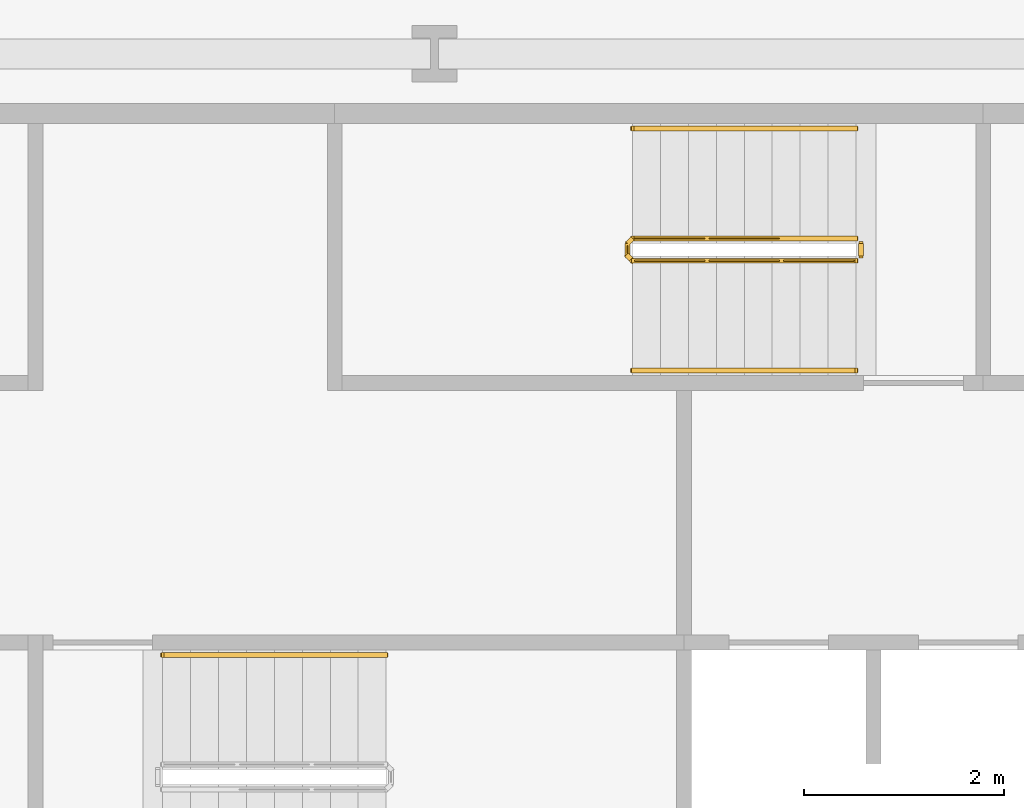
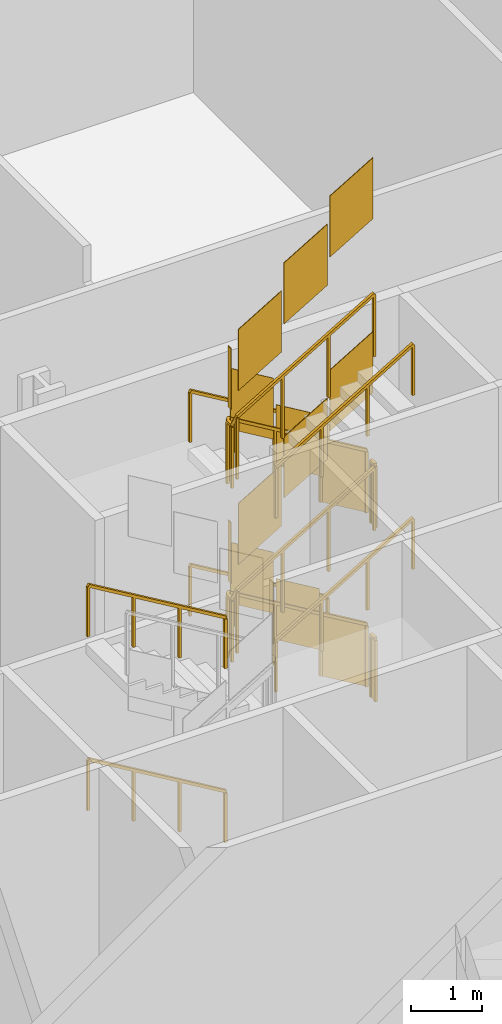
# One storey, part 28 of 31: 10 railings.
"""IFC4 building model written with IfcOpenShell, lengths in metres."""

import ifcopenshell
import ifcopenshell.guid

model = None  # the IFC model being written
_history = None  # IfcOwnerHistory: only IFC2X3 demands one
_inside = {}  # id of a spatial element -> (the spatial element, [elements in it])
_under = {}  # id of a project, library or spatial element -> (it, [spatial elements below it])
_declared = {}  # id of a project -> (the project, [libraries it declares])
_typed = {}  # id of a type object -> (the type object, [elements of that type])
_made_of = {}  # id of a material, layer set ... -> (it, [elements and type objects made of it])


def new_model(schema):
    """Start an empty IFC model of exactly this schema.

    Asked for "IFC4X3", IfcOpenShell would pick the latest addendum, in which some entities
    have other attributes; the version numbers below select the first issue.
    IFC2X3 requires an IfcOwnerHistory on every rooted entity: one is made here for all.
    """
    global model, _history
    if schema == "IFC4X3":
        model = ifcopenshell.file(schema_version=(4, 3, 0, 0))
    else:
        model = ifcopenshell.file(schema=schema)
    _inside.clear()
    _under.clear()
    _declared.clear()
    _typed.clear()
    _made_of.clear()
    _history = None
    if model.schema == "IFC2X3":
        org = make("IfcOrganization", Name="unknown")
        user = make(
            "IfcPersonAndOrganization",
            ThePerson=make("IfcPerson", FamilyName="unknown"),
            TheOrganization=org,
        )
        app = make(
            "IfcApplication",
            ApplicationDeveloper=org,
            Version="unknown",
            ApplicationFullName="unknown",
            ApplicationIdentifier="unknown",
        )
        _history = make(
            "IfcOwnerHistory",
            OwningUser=user,
            OwningApplication=app,
            ChangeAction="ADDED",
            CreationDate=0,
        )
    return model


def make(cls, **values):
    """One entity of the class cls with the attributes given. An attribute that is None is left unset."""
    return model.create_entity(
        cls, **{name: value for name, value in values.items() if value is not None}
    )


def rooted(cls, **values):
    """An entity with a GlobalId (a new one), such as an element, a storey or a relation."""
    return make(cls, GlobalId=ifcopenshell.guid.new(), OwnerHistory=_history, **values)


def si_unit(unit_type, name, prefix=None):
    """IfcSIUnit, for example si_unit("LENGTHUNIT", "METRE", prefix="MILLI")."""
    return make("IfcSIUnit", UnitType=unit_type, Prefix=prefix, Name=name)


def assignment(units):
    """IfcUnitAssignment: the units of a project."""
    return None if units is None else make("IfcUnitAssignment", Units=units)


def point(xyz):
    """IfcCartesianPoint."""
    return None if xyz is None else make("IfcCartesianPoint", Coordinates=xyz)


def direction(xyz):
    """IfcDirection."""
    return None if xyz is None else make("IfcDirection", DirectionRatios=xyz)


def frame(location, z_axis=None, x_axis=None):
    """IfcAxis2Placement3D, a coordinate frame: its origin and axes. An axis left out is left unset."""
    return make(
        "IfcAxis2Placement3D",
        Location=point(location),
        Axis=direction(z_axis),
        RefDirection=direction(x_axis),
    )


def frame_2d(location, x_axis=None):
    """IfcAxis2Placement2D, a coordinate frame in the plane: its origin and x axis."""
    return make(
        "IfcAxis2Placement2D", Location=point(location), RefDirection=direction(x_axis)
    )


def origin():
    """The frame at (0, 0, 0) with its axes left unset."""
    return frame((0.0, 0.0, 0.0))


def origin_2d():
    """The frame at (0, 0) in the plane with its x axis left unset."""
    return frame_2d((0.0, 0.0))


def place(relative_to, where):
    """IfcLocalPlacement: puts the frame where relative to a parent placement (None: the world)."""
    return make(
        "IfcLocalPlacement", PlacementRelTo=relative_to, RelativePlacement=where
    )


def context(
    kind, dimensions, precision=None, world=None, true_north=None, identifier=None
):
    """IfcGeometricRepresentationContext, for example the 3D "Model" context."""
    return make(
        "IfcGeometricRepresentationContext",
        ContextIdentifier=identifier,
        ContextType=kind,
        CoordinateSpaceDimension=dimensions,
        Precision=precision,
        WorldCoordinateSystem=world,
        TrueNorth=true_north,
    )


def subcontext(parent, identifier, kind, view, scale=None):
    """IfcGeometricRepresentationSubContext, for example "Body" below "Model"."""
    return make(
        "IfcGeometricRepresentationSubContext",
        ContextIdentifier=identifier,
        ContextType=kind,
        ParentContext=parent,
        TargetScale=scale,
        TargetView=view,
    )


def project(units=None, contexts=None):
    """IfcProject with its units and contexts."""
    return rooted(
        "IfcProject",
        Name="project",
        RepresentationContexts=contexts,
        UnitsInContext=assignment(units),
    )


def spatial(cls, under=None, at=None, **own):
    """A site, building, storey or space (cls), placed at a placement, below another one or the project."""
    s = rooted(cls, ObjectPlacement=at, **own)
    if under is not None:
        _under.setdefault(under.id(), (under, []))[1].append(s)
    return s


def polyline(points):
    """IfcPolyline through the points."""
    return make("IfcPolyline", Points=[point(p) for p in points])


def profile(cls, at=None, kind="AREA", **sizes):
    """A parametric profile (cls). Its sizes go by their IFC names, for example OverallWidth=200.0."""
    return make(cls, ProfileType=kind, Position=at, **sizes)


def rectangle(**sizes):
    """IfcRectangleProfileDef."""
    return profile("IfcRectangleProfileDef", **sizes)


def outline(outer, holes=None, kind="AREA"):
    """IfcArbitraryClosedProfileDef: a profile drawn as a closed curve; with holes, ...WithVoids."""
    if holes is None:
        return make("IfcArbitraryClosedProfileDef", ProfileType=kind, OuterCurve=outer)
    return make(
        "IfcArbitraryProfileDefWithVoids",
        ProfileType=kind,
        OuterCurve=outer,
        InnerCurves=holes,
    )


def extrude(swept, where, along, depth):
    """IfcExtrudedAreaSolid: the profile swept, set in the frame where, extruded along a direction by depth."""
    return make(
        "IfcExtrudedAreaSolid",
        SweptArea=swept,
        Position=where,
        ExtrudedDirection=direction(along),
        Depth=depth,
    )


def shape(context_of_items, identifier, shape_type, items):
    """IfcShapeRepresentation: the items that make up one representation, for example the "Body"."""
    return make(
        "IfcShapeRepresentation",
        ContextOfItems=context_of_items,
        RepresentationIdentifier=identifier,
        RepresentationType=shape_type,
        Items=items,
    )


def material(Name=None, Category=None):
    """IfcMaterial."""
    return make("IfcMaterial", Name=Name, Category=Category)


def made_of(thing, what):
    """Note that an element or type object is made of a material, layer set ...; save() writes the relation."""
    if what is not None:
        _made_of.setdefault(what.id(), (what, []))[1].append(thing)
    return thing


def type_object(cls, material=None, **own):
    """A type object (cls), such as IfcWallType, which elements share."""
    return made_of(rooted(cls, **own), material)


def element(
    cls,
    number,
    at=None,
    inside=None,
    cuts=None,
    type_object=None,
    material=None,
    context=None,
    identifier="Body",
    shape_type=None,
    held_by="IfcProductDefinitionShape",
    body=None,
    shapes=None,
    **own,
):
    """One element of the class cls, such as IfcWall. Its Tag is "e" and its number.

    at: its placement. inside: the storey or other place that contains it. cuts: it is an
    opening in that element (IfcRelVoidsElement). A single representation is given by context,
    identifier, shape_type and body (its items); several are given by shapes. held_by: the class
    of the entity that holds the representations. save() writes the other relations.
    """
    e = rooted(cls, Tag="e%d" % number, ObjectPlacement=at, **own)
    if body is not None:
        shapes = [shape(context, identifier, shape_type, body)]
    if shapes is not None:
        e.Representation = make(held_by, Representations=shapes)
    if inside is not None:
        _inside.setdefault(inside.id(), (inside, []))[1].append(e)
    if cuts is not None:
        rooted(
            "IfcRelVoidsElement", RelatingBuildingElement=cuts, RelatedOpeningElement=e
        )
    if type_object is not None:
        _typed.setdefault(type_object.id(), (type_object, []))[1].append(e)
    return made_of(e, material)


def aggregate(whole, parts):
    """IfcRelAggregates: a whole, such as a stair, and the parts it consists of."""
    return rooted("IfcRelAggregates", RelatingObject=whole, RelatedObjects=parts)


def save(model, path):
    """Write the relations noted so far, then the file.

    IfcRelAggregates (storeys below a building ...), IfcRelContainedInSpatialStructure (elements
    in a storey), IfcRelDefinesByType, IfcRelAssociatesMaterial and IfcRelDeclares: one each for
    every whole, place, type object, material and project.
    """
    for whole, parts in _under.values():
        aggregate(whole, parts)
    for where, things in _inside.values():
        rooted(
            "IfcRelContainedInSpatialStructure",
            RelatedElements=things,
            RelatingStructure=where,
        )
    for kind, things in _typed.values():
        rooted("IfcRelDefinesByType", RelatedObjects=things, RelatingType=kind)
    for what, things in _made_of.values():
        rooted("IfcRelAssociatesMaterial", RelatedObjects=things, RelatingMaterial=what)
    for by, libraries in _declared.values():
        rooted("IfcRelDeclares", RelatingContext=by, RelatedDefinitions=libraries)
    model.write(path)


model = new_model("IFC4")

# Units and contexts
model_context = context("Model", 3, precision=1e-05, world=origin(), true_north=direction((0.0, 1.0)))
body_context = subcontext(model_context, "Body", "Model", "MODEL_VIEW")
ifc_project = project(units=[si_unit("LENGTHUNIT", "METRE"), si_unit("AREAUNIT", "SQUARE_METRE"), si_unit("VOLUMEUNIT", "CUBIC_METRE"), si_unit("PLANEANGLEUNIT", "RADIAN"), si_unit("MASSUNIT", "GRAM", prefix="KILO")], contexts=[model_context])

# Site, building, storey
site_placement = place(None, origin())
site = spatial("IfcSite", under=ifc_project, at=site_placement, CompositionType="ELEMENT")
building_placement = place(site_placement, origin())
building = spatial("IfcBuilding", under=site, at=building_placement, Name="Cairn Pilgrim Tower", CompositionType="ELEMENT")
storey_placement = place(building_placement, frame((0.0, 0.0, 9.0)))
storey = spatial("IfcBuildingStorey", under=building, at=storey_placement, Name="L01", CompositionType="ELEMENT", Elevation=9.0)

# Railings
ifc_material = material(Name="Painted steel", Category="steel")
railing_type_1 = type_object("IfcRailingType", Name="STAIR GUARD 1100", PredefinedType="GUARDRAIL", material=ifc_material)
railing_1_placement = place(storey_placement, frame((11.425048828125, 8.949951171875, 0.166748046875)))
element("IfcRailing", 1, at=railing_1_placement, inside=storey, type_object=railing_type_1, Name="L01 ST-C stair guard 1", PredefinedType="GUARDRAIL", context=body_context, shape_type="SweptSolid", body=[
    extrude(rectangle(XDim=0.048095703125, YDim=0.048095703125, at=origin_2d()), frame((0.0, 0.0, 1.076171875), z_axis=(-0.859305625298, 0.0, 0.511462454469), x_axis=(0.0, -1.0, 0.0)), (0.0, 0.0, 1.0), 2.606689453125),
    extrude(rectangle(XDim=0.048095703125, YDim=0.048095703125, at=origin_2d()), frame((-2.239990234375, 0.0, 2.4091796875), z_axis=(-0.707106781187, -0.707106781187, 0.0), x_axis=(0.707106781187, -0.707106781187, 0.0)), (0.0, 0.0, 1.0), 0.07080078125),
    extrude(rectangle(XDim=0.048095703125, YDim=0.048095703125, at=origin_2d()), frame((-2.2900390625, -0.050048828125, 2.4091796875), z_axis=(0.0, -1.0, 0.0), x_axis=(1.0, 0.0, 0.0)), (0.0, 0.0, 1.0), 0.125),
    extrude(rectangle(XDim=0.048095703125, YDim=0.048095703125, at=origin_2d()), frame((-2.2900390625, -0.175048828125, 2.4091796875), z_axis=(0.276389281352, -0.275041040955, 0.920848191041), x_axis=(0.705375805398, 0.708833529934, 0.0)), (0.0, 0.0, 1.0), 0.18115234375),
    extrude(rectangle(XDim=0.048095703125, YDim=0.048095703125, at=origin_2d()), frame((-2.239990234375, -0.224853515625, 2.576171875), z_axis=(0.859305625298, 0.0, 0.511462454469), x_axis=(0.0, 1.0, 0.0)), (0.0, 0.0, 1.0), 2.606689453125),
    extrude(rectangle(XDim=0.0419921875, YDim=0.0419921875, at=origin_2d()), origin(), (0.0, 0.0, 1.0), 1.052001953125),
    extrude(rectangle(XDim=0.0419921875, YDim=0.0419921875, at=origin_2d()), frame((-0.74658203125, 0.0, 0.4443359375)), (0.0, 0.0, 1.0), 1.052001953125),
    extrude(rectangle(XDim=0.0419921875, YDim=0.0419921875, at=origin_2d()), frame((-1.493408203125, 0.0, 0.888916015625)), (0.0, 0.0, 1.0), 1.052001953125),
    extrude(rectangle(XDim=0.0419921875, YDim=0.0419921875, at=origin_2d()), frame((-2.239990234375, 0.0, 1.333251953125)), (0.0, 0.0, 1.0), 1.052001953125),
    extrude(rectangle(XDim=0.0419921875, YDim=0.0419921875, at=origin_2d()), frame((-2.2900390625, -0.050048828125, 1.333251953125)), (0.0, 0.0, 1.0), 1.052001953125),
    extrude(rectangle(XDim=0.0419921875, YDim=0.0419921875, at=origin_2d()), frame((-2.2900390625, -0.175048828125, 1.333251953125)), (0.0, 0.0, 1.0), 1.052001953125),
    extrude(rectangle(XDim=0.0419921875, YDim=0.0419921875, at=origin_2d()), frame((-2.239990234375, -0.224853515625, 1.5)), (0.0, 0.0, 1.0), 1.052001953125),
    extrude(rectangle(XDim=0.0419921875, YDim=0.0419921875, at=origin_2d()), frame((-1.493408203125, -0.224853515625, 1.9443359375)), (0.0, 0.0, 1.0), 1.052001953125),
    extrude(rectangle(XDim=0.0419921875, YDim=0.0419921875, at=origin_2d()), frame((-0.74658203125, -0.224853515625, 2.388916015625)), (0.0, 0.0, 1.0), 1.052001953125),
    extrude(rectangle(XDim=0.0419921875, YDim=0.0419921875, at=origin_2d()), frame((0.0, -0.224853515625, 2.833251953125)), (0.0, 0.0, 1.0), 1.052001953125),
    extrude(outline(polyline([(0.02099609375, 0.012451171875), (0.7255859375, 0.431884765625), (0.7255859375, 1.48388671875), (0.02099609375, 1.064453125), (0.02099609375, 0.012451171875)])), frame((0.0, -0.005859375, 0.0), z_axis=(0.0, 1.0, 0.0), x_axis=(-1.0, 0.0, 0.0)), (0.0, 0.0, 1.0), 0.011962890625),
    extrude(outline(polyline([(0.02099609375, 0.45703125), (0.7255859375, 0.876220703125), (0.7255859375, 1.92822265625), (0.02099609375, 1.509033203125), (0.02099609375, 0.45703125)])), frame((-0.74658203125, -0.005859375, 0.4443359375), z_axis=(0.0, 1.0, 0.0), x_axis=(-1.0, 0.0, 0.0)), (0.0, 0.0, 1.0), 0.011962890625),
    extrude(outline(polyline([(0.02099609375, 0.9013671875), (0.7255859375, 1.32080078125), (0.7255859375, 2.372802734375), (0.02099609375, 1.953369140625), (0.02099609375, 0.9013671875)])), frame((-1.493408203125, -0.005859375, 0.888916015625), z_axis=(0.0, 1.0, 0.0), x_axis=(-1.0, 0.0, 0.0)), (0.0, 0.0, 1.0), 0.011962890625),
    extrude(outline(polyline([(0.02099609375, 1.333251953125), (0.10400390625, 1.333251953125), (0.10400390625, 2.38525390625), (0.02099609375, 2.38525390625), (0.02099609375, 1.333251953125)])), frame((-2.2841796875, -0.050048828125, 1.333251953125), z_axis=(-1.0, 0.0, 0.0), x_axis=(0.0, -1.0, 0.0)), (0.0, 0.0, 1.0), 0.011962890625),
    extrude(outline(polyline([(0.02099609375, 1.512451171875), (0.7255859375, 1.931884765625), (0.7255859375, 2.98388671875), (0.02099609375, 2.564453125), (0.02099609375, 1.512451171875)])), frame((-2.239990234375, -0.21875, 1.5), z_axis=(0.0, -1.0, 0.0), x_axis=(1.0, 0.0, 0.0)), (0.0, 0.0, 1.0), 0.011962890625),
    extrude(outline(polyline([(0.02099609375, 1.95703125), (0.7255859375, 2.376220703125), (0.7255859375, 3.42822265625), (0.02099609375, 3.009033203125), (0.02099609375, 1.95703125)])), frame((-1.493408203125, -0.21875, 1.9443359375), z_axis=(0.0, -1.0, 0.0), x_axis=(1.0, 0.0, 0.0)), (0.0, 0.0, 1.0), 0.011962890625),
    extrude(outline(polyline([(0.02099609375, 2.4013671875), (0.7255859375, 2.82080078125), (0.7255859375, 3.872802734375), (0.02099609375, 3.453369140625), (0.02099609375, 2.4013671875)])), frame((-0.74658203125, -0.21875, 2.388916015625), z_axis=(0.0, -1.0, 0.0), x_axis=(1.0, 0.0, 0.0)), (0.0, 0.0, 1.0), 0.011962890625),
])
railing_2_placement = place(storey_placement, frame((11.47509765625, 8.89990234375, 3.0)))
element("IfcRailing", 2, at=railing_2_placement, inside=storey, type_object=railing_type_1, Name="L01 ST-C stair guard 2", PredefinedType="GUARDRAIL", context=body_context, shape_type="SweptSolid", body=[
    extrude(rectangle(XDim=0.048095703125, YDim=0.048095703125, at=origin_2d()), frame((0.0, 0.0, 1.076171875), z_axis=(0.0, -1.0, 0.0), x_axis=(1.0, 0.0, 0.0)), (0.0, 0.0, 1.0), 0.125),
    extrude(rectangle(XDim=0.0419921875, YDim=0.0419921875, at=origin_2d()), origin(), (0.0, 0.0, 1.0), 1.052001953125),
    extrude(rectangle(XDim=0.0419921875, YDim=0.0419921875, at=origin_2d()), frame((0.0, -0.125, 0.0)), (0.0, 0.0, 1.0), 1.052001953125),
    extrude(outline(polyline([(0.02099609375, 0.0), (0.10400390625, 0.0), (0.10400390625, 1.052001953125), (0.02099609375, 1.052001953125), (0.02099609375, 0.0)])), frame((0.005859375, 0.0, 0.0), z_axis=(-1.0, 0.0, 0.0), x_axis=(0.0, -1.0, 0.0)), (0.0, 0.0, 1.0), 0.011962890625),
])
railing_3_placement = place(storey_placement, frame((11.425048828125, 8.949951171875, 3.166748046875)))
element("IfcRailing", 3, at=railing_3_placement, inside=storey, type_object=railing_type_1, Name="L01 ST-C stair guard 3", PredefinedType="GUARDRAIL", context=body_context, shape_type="SweptSolid", body=[
    extrude(rectangle(XDim=0.048095703125, YDim=0.048095703125, at=origin_2d()), frame((0.0, 0.0, 1.076171875), z_axis=(-0.859305625298, 0.0, 0.511462454469), x_axis=(0.0, -1.0, 0.0)), (0.0, 0.0, 1.0), 2.606689453125),
    extrude(rectangle(XDim=0.048095703125, YDim=0.048095703125, at=origin_2d()), frame((-2.239990234375, 0.0, 2.4091796875), z_axis=(-0.707106781187, -0.707106781187, 0.0), x_axis=(0.707106781187, -0.707106781187, 0.0)), (0.0, 0.0, 1.0), 0.07080078125),
    extrude(rectangle(XDim=0.048095703125, YDim=0.048095703125, at=origin_2d()), frame((-2.2900390625, -0.050048828125, 2.4091796875), z_axis=(0.0, -1.0, 0.0), x_axis=(1.0, 0.0, 0.0)), (0.0, 0.0, 1.0), 0.125),
    extrude(rectangle(XDim=0.048095703125, YDim=0.048095703125, at=origin_2d()), frame((-2.2900390625, -0.175048828125, 2.4091796875), z_axis=(0.276389281352, -0.275041040955, 0.920848191041), x_axis=(0.705375805398, 0.708833529934, 0.0)), (0.0, 0.0, 1.0), 0.18115234375),
    extrude(rectangle(XDim=0.048095703125, YDim=0.048095703125, at=origin_2d()), frame((-2.239990234375, -0.224853515625, 2.576171875), z_axis=(0.859305625298, 0.0, 0.511462454469), x_axis=(0.0, 1.0, 0.0)), (0.0, 0.0, 1.0), 2.606689453125),
    extrude(rectangle(XDim=0.0419921875, YDim=0.0419921875, at=origin_2d()), origin(), (0.0, 0.0, 1.0), 1.052001953125),
    extrude(rectangle(XDim=0.0419921875, YDim=0.0419921875, at=origin_2d()), frame((-0.74658203125, 0.0, 0.4443359375)), (0.0, 0.0, 1.0), 1.052001953125),
    extrude(rectangle(XDim=0.0419921875, YDim=0.0419921875, at=origin_2d()), frame((-1.493408203125, 0.0, 0.888916015625)), (0.0, 0.0, 1.0), 1.052001953125),
    extrude(rectangle(XDim=0.0419921875, YDim=0.0419921875, at=origin_2d()), frame((-2.239990234375, 0.0, 1.333251953125)), (0.0, 0.0, 1.0), 1.052001953125),
    extrude(rectangle(XDim=0.0419921875, YDim=0.0419921875, at=origin_2d()), frame((-2.2900390625, -0.050048828125, 1.333251953125)), (0.0, 0.0, 1.0), 1.052001953125),
    extrude(rectangle(XDim=0.0419921875, YDim=0.0419921875, at=origin_2d()), frame((-2.2900390625, -0.175048828125, 1.333251953125)), (0.0, 0.0, 1.0), 1.052001953125),
    extrude(rectangle(XDim=0.0419921875, YDim=0.0419921875, at=origin_2d()), frame((-2.239990234375, -0.224853515625, 1.5)), (0.0, 0.0, 1.0), 1.052001953125),
    extrude(rectangle(XDim=0.0419921875, YDim=0.0419921875, at=origin_2d()), frame((-1.493408203125, -0.224853515625, 1.9443359375)), (0.0, 0.0, 1.0), 1.052001953125),
    extrude(rectangle(XDim=0.0419921875, YDim=0.0419921875, at=origin_2d()), frame((-0.74658203125, -0.224853515625, 2.388916015625)), (0.0, 0.0, 1.0), 1.052001953125),
    extrude(rectangle(XDim=0.0419921875, YDim=0.0419921875, at=origin_2d()), frame((0.0, -0.224853515625, 2.833251953125)), (0.0, 0.0, 1.0), 1.052001953125),
    extrude(outline(polyline([(0.02099609375, 0.012451171875), (0.7255859375, 0.431884765625), (0.7255859375, 1.48388671875), (0.02099609375, 1.064453125), (0.02099609375, 0.012451171875)])), frame((0.0, -0.005859375, 0.0), z_axis=(0.0, 1.0, 0.0), x_axis=(-1.0, 0.0, 0.0)), (0.0, 0.0, 1.0), 0.011962890625),
    extrude(outline(polyline([(0.02099609375, 0.45703125), (0.7255859375, 0.876220703125), (0.7255859375, 1.92822265625), (0.02099609375, 1.509033203125), (0.02099609375, 0.45703125)])), frame((-0.74658203125, -0.005859375, 0.4443359375), z_axis=(0.0, 1.0, 0.0), x_axis=(-1.0, 0.0, 0.0)), (0.0, 0.0, 1.0), 0.011962890625),
    extrude(outline(polyline([(0.02099609375, 0.9013671875), (0.7255859375, 1.32080078125), (0.7255859375, 2.372802734375), (0.02099609375, 1.953369140625), (0.02099609375, 0.9013671875)])), frame((-1.493408203125, -0.005859375, 0.888916015625), z_axis=(0.0, 1.0, 0.0), x_axis=(-1.0, 0.0, 0.0)), (0.0, 0.0, 1.0), 0.011962890625),
    extrude(outline(polyline([(0.02099609375, 1.333251953125), (0.10400390625, 1.333251953125), (0.10400390625, 2.38525390625), (0.02099609375, 2.38525390625), (0.02099609375, 1.333251953125)])), frame((-2.2841796875, -0.050048828125, 1.333251953125), z_axis=(-1.0, 0.0, 0.0), x_axis=(0.0, -1.0, 0.0)), (0.0, 0.0, 1.0), 0.011962890625),
    extrude(outline(polyline([(0.02099609375, 1.512451171875), (0.7255859375, 1.931884765625), (0.7255859375, 2.98388671875), (0.02099609375, 2.564453125), (0.02099609375, 1.512451171875)])), frame((-2.239990234375, -0.21875, 1.5), z_axis=(0.0, -1.0, 0.0), x_axis=(1.0, 0.0, 0.0)), (0.0, 0.0, 1.0), 0.011962890625),
    extrude(outline(polyline([(0.02099609375, 1.95703125), (0.7255859375, 2.376220703125), (0.7255859375, 3.42822265625), (0.02099609375, 3.009033203125), (0.02099609375, 1.95703125)])), frame((-1.493408203125, -0.21875, 1.9443359375), z_axis=(0.0, -1.0, 0.0), x_axis=(1.0, 0.0, 0.0)), (0.0, 0.0, 1.0), 0.011962890625),
    extrude(outline(polyline([(0.02099609375, 2.4013671875), (0.7255859375, 2.82080078125), (0.7255859375, 3.872802734375), (0.02099609375, 3.453369140625), (0.02099609375, 2.4013671875)])), frame((-0.74658203125, -0.21875, 2.388916015625), z_axis=(0.0, -1.0, 0.0), x_axis=(1.0, 0.0, 0.0)), (0.0, 0.0, 1.0), 0.011962890625),
])
railing_4_placement = place(storey_placement, frame((11.47509765625, 8.89990234375, 0.0)))
element("IfcRailing", 4, at=railing_4_placement, inside=storey, type_object=railing_type_1, Name="L01 ST-C stair guard 4", PredefinedType="GUARDRAIL", context=body_context, shape_type="SweptSolid", body=[
    extrude(rectangle(XDim=0.048095703125, YDim=0.048095703125, at=origin_2d()), frame((0.0, 0.0, 1.076171875), z_axis=(0.0, -1.0, 0.0), x_axis=(1.0, 0.0, 0.0)), (0.0, 0.0, 1.0), 0.125),
    extrude(rectangle(XDim=0.0419921875, YDim=0.0419921875, at=origin_2d()), origin(), (0.0, 0.0, 1.0), 1.052001953125),
    extrude(rectangle(XDim=0.0419921875, YDim=0.0419921875, at=origin_2d()), frame((0.0, -0.125, 0.0)), (0.0, 0.0, 1.0), 1.052001953125),
    extrude(outline(polyline([(0.02099609375, 0.0), (0.10400390625, 0.0), (0.10400390625, 1.052001953125), (0.02099609375, 1.052001953125), (0.02099609375, 0.0)])), frame((0.005859375, 0.0, 0.0), z_axis=(-1.0, 0.0, 0.0), x_axis=(0.0, -1.0, 0.0)), (0.0, 0.0, 1.0), 0.011962890625),
])
railing_type_2 = type_object("IfcRailingType", Name="STAIR HANDRAIL 900", PredefinedType="HANDRAIL", material=ifc_material)
for number, where, name in (
    (5, (6.715087890625, 4.77490234375, 1.666748046875), "L01 ST-B stair handrail 2"),
    (6, (6.715087890625, 4.77490234375, 4.666748046875), "L01 ST-B stair handrail 4"),
    (7, (11.425048828125, 10.050048828125, 0.166748046875), "L01 ST-C stair handrail 1"),
):
    element("IfcRailing", number, at=place(storey_placement, frame(where)), inside=storey, type_object=railing_type_2, Name=name, PredefinedType="HANDRAIL", context=body_context, shape_type="SweptSolid", body=[
        extrude(rectangle(XDim=0.048095703125, YDim=0.048095703125, at=origin_2d()), frame((0.0, 0.0, 0.8759765625), z_axis=(-0.859305625298, 0.0, 0.511462454469), x_axis=(0.0, -1.0, 0.0)), (0.0, 0.0, 1.0), 2.606689453125),
        extrude(rectangle(XDim=0.0419921875, YDim=0.0419921875, at=origin_2d()), origin(), (0.0, 0.0, 1.0), 0.851806640625),
        extrude(rectangle(XDim=0.0419921875, YDim=0.0419921875, at=origin_2d()), frame((-0.74658203125, 0.0, 0.4443359375)), (0.0, 0.0, 1.0), 0.851806640625),
        extrude(rectangle(XDim=0.0419921875, YDim=0.0419921875, at=origin_2d()), frame((-1.493408203125, 0.0, 0.888916015625)), (0.0, 0.0, 1.0), 0.851806640625),
        extrude(rectangle(XDim=0.0419921875, YDim=0.0419921875, at=origin_2d()), frame((-2.239990234375, 0.0, 1.333251953125)), (0.0, 0.0, 1.0), 0.851806640625),
    ])
railing_5_placement = place(storey_placement, frame((9.18505859375, 7.625, 1.666748046875)))
element("IfcRailing", 8, at=railing_5_placement, inside=storey, type_object=railing_type_2, Name="L01 ST-C stair handrail 2", PredefinedType="HANDRAIL", context=body_context, shape_type="SweptSolid", body=[
    extrude(rectangle(XDim=0.048095703125, YDim=0.048095703125, at=origin_2d()), frame((0.0, 0.0, 0.8759765625), z_axis=(0.859305625298, 0.0, 0.511462454469), x_axis=(0.0, 1.0, 0.0)), (0.0, 0.0, 1.0), 2.606689453125),
    extrude(rectangle(XDim=0.0419921875, YDim=0.0419921875, at=origin_2d()), origin(), (0.0, 0.0, 1.0), 0.851806640625),
    extrude(rectangle(XDim=0.0419921875, YDim=0.0419921875, at=origin_2d()), frame((0.74658203125, 0.0, 0.4443359375)), (0.0, 0.0, 1.0), 0.851806640625),
    extrude(rectangle(XDim=0.0419921875, YDim=0.0419921875, at=origin_2d()), frame((1.493408203125, 0.0, 0.888916015625)), (0.0, 0.0, 1.0), 0.851806640625),
    extrude(rectangle(XDim=0.0419921875, YDim=0.0419921875, at=origin_2d()), frame((2.239990234375, 0.0, 1.333251953125)), (0.0, 0.0, 1.0), 0.851806640625),
])
railing_6_placement = place(storey_placement, frame((11.425048828125, 10.050048828125, 3.166748046875)))
element("IfcRailing", 9, at=railing_6_placement, inside=storey, type_object=railing_type_2, Name="L01 ST-C stair handrail 3", PredefinedType="HANDRAIL", context=body_context, shape_type="SweptSolid", body=[
    extrude(rectangle(XDim=0.048095703125, YDim=0.048095703125, at=origin_2d()), frame((0.0, 0.0, 0.8759765625), z_axis=(-0.859305625298, 0.0, 0.511462454469), x_axis=(0.0, -1.0, 0.0)), (0.0, 0.0, 1.0), 2.606689453125),
    extrude(rectangle(XDim=0.0419921875, YDim=0.0419921875, at=origin_2d()), origin(), (0.0, 0.0, 1.0), 0.851806640625),
    extrude(rectangle(XDim=0.0419921875, YDim=0.0419921875, at=origin_2d()), frame((-0.74658203125, 0.0, 0.4443359375)), (0.0, 0.0, 1.0), 0.851806640625),
    extrude(rectangle(XDim=0.0419921875, YDim=0.0419921875, at=origin_2d()), frame((-1.493408203125, 0.0, 0.888916015625)), (0.0, 0.0, 1.0), 0.851806640625),
    extrude(rectangle(XDim=0.0419921875, YDim=0.0419921875, at=origin_2d()), frame((-2.239990234375, 0.0, 1.333251953125)), (0.0, 0.0, 1.0), 0.851806640625),
])
railing_7_placement = place(storey_placement, frame((9.18505859375, 7.625, 4.666748046875)))
element("IfcRailing", 10, at=railing_7_placement, inside=storey, type_object=railing_type_2, Name="L01 ST-C stair handrail 4", PredefinedType="HANDRAIL", context=body_context, shape_type="SweptSolid", body=[
    extrude(rectangle(XDim=0.048095703125, YDim=0.048095703125, at=origin_2d()), frame((0.0, 0.0, 0.8759765625), z_axis=(0.859305625298, 0.0, 0.511462454469), x_axis=(0.0, 1.0, 0.0)), (0.0, 0.0, 1.0), 2.606689453125),
    extrude(rectangle(XDim=0.0419921875, YDim=0.0419921875, at=origin_2d()), origin(), (0.0, 0.0, 1.0), 0.851806640625),
    extrude(rectangle(XDim=0.0419921875, YDim=0.0419921875, at=origin_2d()), frame((0.74658203125, 0.0, 0.4443359375)), (0.0, 0.0, 1.0), 0.851806640625),
    extrude(rectangle(XDim=0.0419921875, YDim=0.0419921875, at=origin_2d()), frame((1.493408203125, 0.0, 0.888916015625)), (0.0, 0.0, 1.0), 0.851806640625),
    extrude(rectangle(XDim=0.0419921875, YDim=0.0419921875, at=origin_2d()), frame((2.239990234375, 0.0, 1.333251953125)), (0.0, 0.0, 1.0), 0.851806640625),
])

save(model, "model.ifc")
